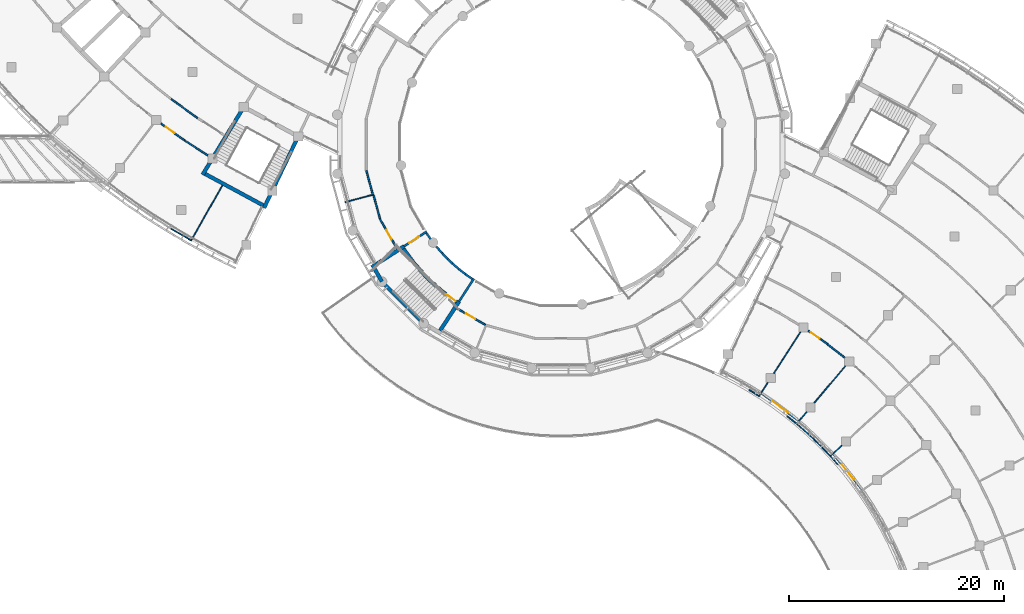
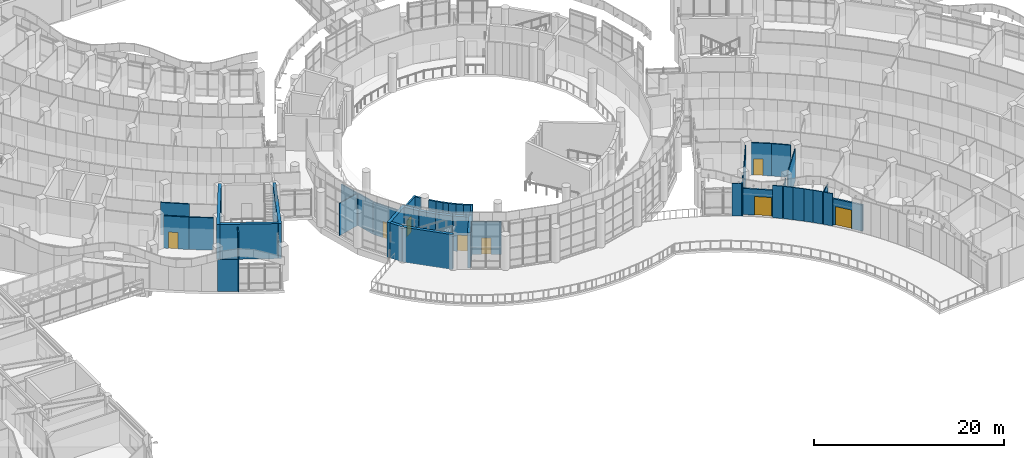
# One storey, part 61 of 136: 46 walls, 8 doors, 8 openings.
"""IFC4 building model written with IfcOpenShell, lengths in metres."""

import ifcopenshell
import ifcopenshell.guid

model = None  # the IFC model being written
_history = None  # IfcOwnerHistory: only IFC2X3 demands one
_inside = {}  # id of a spatial element -> (the spatial element, [elements in it])
_under = {}  # id of a project, library or spatial element -> (it, [spatial elements below it])
_declared = {}  # id of a project -> (the project, [libraries it declares])
_typed = {}  # id of a type object -> (the type object, [elements of that type])
_made_of = {}  # id of a material, layer set ... -> (it, [elements and type objects made of it])


def new_model(schema):
    """Start an empty IFC model of exactly this schema.

    Asked for "IFC4X3", IfcOpenShell would pick the latest addendum, in which some entities
    have other attributes; the version numbers below select the first issue.
    IFC2X3 requires an IfcOwnerHistory on every rooted entity: one is made here for all.
    """
    global model, _history
    if schema == "IFC4X3":
        model = ifcopenshell.file(schema_version=(4, 3, 0, 0))
    else:
        model = ifcopenshell.file(schema=schema)
    _inside.clear()
    _under.clear()
    _declared.clear()
    _typed.clear()
    _made_of.clear()
    _history = None
    if model.schema == "IFC2X3":
        org = make("IfcOrganization", Name="unknown")
        user = make(
            "IfcPersonAndOrganization",
            ThePerson=make("IfcPerson", FamilyName="unknown"),
            TheOrganization=org,
        )
        app = make(
            "IfcApplication",
            ApplicationDeveloper=org,
            Version="unknown",
            ApplicationFullName="unknown",
            ApplicationIdentifier="unknown",
        )
        _history = make(
            "IfcOwnerHistory",
            OwningUser=user,
            OwningApplication=app,
            ChangeAction="ADDED",
            CreationDate=0,
        )
    return model


def make(cls, **values):
    """One entity of the class cls with the attributes given. An attribute that is None is left unset."""
    return model.create_entity(
        cls, **{name: value for name, value in values.items() if value is not None}
    )


def rooted(cls, **values):
    """An entity with a GlobalId (a new one), such as an element, a storey or a relation."""
    return make(cls, GlobalId=ifcopenshell.guid.new(), OwnerHistory=_history, **values)


def si_unit(unit_type, name, prefix=None):
    """IfcSIUnit, for example si_unit("LENGTHUNIT", "METRE", prefix="MILLI")."""
    return make("IfcSIUnit", UnitType=unit_type, Prefix=prefix, Name=name)


def assignment(units):
    """IfcUnitAssignment: the units of a project."""
    return None if units is None else make("IfcUnitAssignment", Units=units)


def point(xyz):
    """IfcCartesianPoint."""
    return None if xyz is None else make("IfcCartesianPoint", Coordinates=xyz)


def direction(xyz):
    """IfcDirection."""
    return None if xyz is None else make("IfcDirection", DirectionRatios=xyz)


def frame(location, z_axis=None, x_axis=None):
    """IfcAxis2Placement3D, a coordinate frame: its origin and axes. An axis left out is left unset."""
    return make(
        "IfcAxis2Placement3D",
        Location=point(location),
        Axis=direction(z_axis),
        RefDirection=direction(x_axis),
    )


def frame_2d(location, x_axis=None):
    """IfcAxis2Placement2D, a coordinate frame in the plane: its origin and x axis."""
    return make(
        "IfcAxis2Placement2D", Location=point(location), RefDirection=direction(x_axis)
    )


def origin():
    """The frame at (0, 0, 0) with its axes left unset."""
    return frame((0.0, 0.0, 0.0))


def place(relative_to, where):
    """IfcLocalPlacement: puts the frame where relative to a parent placement (None: the world)."""
    return make(
        "IfcLocalPlacement", PlacementRelTo=relative_to, RelativePlacement=where
    )


def context(
    kind, dimensions, precision=None, world=None, true_north=None, identifier=None
):
    """IfcGeometricRepresentationContext, for example the 3D "Model" context."""
    return make(
        "IfcGeometricRepresentationContext",
        ContextIdentifier=identifier,
        ContextType=kind,
        CoordinateSpaceDimension=dimensions,
        Precision=precision,
        WorldCoordinateSystem=world,
        TrueNorth=true_north,
    )


def subcontext(parent, identifier, kind, view, scale=None):
    """IfcGeometricRepresentationSubContext, for example "Body" below "Model"."""
    return make(
        "IfcGeometricRepresentationSubContext",
        ContextIdentifier=identifier,
        ContextType=kind,
        ParentContext=parent,
        TargetScale=scale,
        TargetView=view,
    )


def project(units=None, contexts=None):
    """IfcProject with its units and contexts."""
    return rooted(
        "IfcProject",
        Name="project",
        RepresentationContexts=contexts,
        UnitsInContext=assignment(units),
    )


def spatial(cls, under=None, at=None, **own):
    """A site, building, storey or space (cls), placed at a placement, below another one or the project."""
    s = rooted(cls, ObjectPlacement=at, **own)
    if under is not None:
        _under.setdefault(under.id(), (under, []))[1].append(s)
    return s


def profile(cls, at=None, kind="AREA", **sizes):
    """A parametric profile (cls). Its sizes go by their IFC names, for example OverallWidth=200.0."""
    return make(cls, ProfileType=kind, Position=at, **sizes)


def rectangle(**sizes):
    """IfcRectangleProfileDef."""
    return profile("IfcRectangleProfileDef", **sizes)


def extrude(swept, where, along, depth):
    """IfcExtrudedAreaSolid: the profile swept, set in the frame where, extruded along a direction by depth."""
    return make(
        "IfcExtrudedAreaSolid",
        SweptArea=swept,
        Position=where,
        ExtrudedDirection=direction(along),
        Depth=depth,
    )


def shape(context_of_items, identifier, shape_type, items):
    """IfcShapeRepresentation: the items that make up one representation, for example the "Body"."""
    return make(
        "IfcShapeRepresentation",
        ContextOfItems=context_of_items,
        RepresentationIdentifier=identifier,
        RepresentationType=shape_type,
        Items=items,
    )


def material(Name=None, Category=None):
    """IfcMaterial."""
    return make("IfcMaterial", Name=Name, Category=Category)


def layer(
    of_material, thickness, ventilated=None, Name=None, Category=None, Priority=None
):
    """IfcMaterialLayer: one layer of a wall or slab, of a material (None: an air gap)."""
    return make(
        "IfcMaterialLayer",
        Material=of_material,
        LayerThickness=thickness,
        IsVentilated=ventilated,
        Name=Name,
        Category=Category,
        Priority=Priority,
    )


def layer_set(layers, Name=None):
    """IfcMaterialLayerSet."""
    return make("IfcMaterialLayerSet", MaterialLayers=layers, LayerSetName=Name)


def made_of(thing, what):
    """Note that an element or type object is made of a material, layer set ...; save() writes the relation."""
    if what is not None:
        _made_of.setdefault(what.id(), (what, []))[1].append(thing)
    return thing


def type_object(cls, material=None, **own):
    """A type object (cls), such as IfcWallType, which elements share."""
    return made_of(rooted(cls, **own), material)


def element(
    cls,
    number,
    at=None,
    inside=None,
    cuts=None,
    type_object=None,
    material=None,
    context=None,
    identifier="Body",
    shape_type=None,
    held_by="IfcProductDefinitionShape",
    body=None,
    shapes=None,
    **own,
):
    """One element of the class cls, such as IfcWall. Its Tag is "e" and its number.

    at: its placement. inside: the storey or other place that contains it. cuts: it is an
    opening in that element (IfcRelVoidsElement). A single representation is given by context,
    identifier, shape_type and body (its items); several are given by shapes. held_by: the class
    of the entity that holds the representations. save() writes the other relations.
    """
    e = rooted(cls, Tag="e%d" % number, ObjectPlacement=at, **own)
    if body is not None:
        shapes = [shape(context, identifier, shape_type, body)]
    if shapes is not None:
        e.Representation = make(held_by, Representations=shapes)
    if inside is not None:
        _inside.setdefault(inside.id(), (inside, []))[1].append(e)
    if cuts is not None:
        rooted(
            "IfcRelVoidsElement", RelatingBuildingElement=cuts, RelatedOpeningElement=e
        )
    if type_object is not None:
        _typed.setdefault(type_object.id(), (type_object, []))[1].append(e)
    return made_of(e, material)


def fill(opening, filler):
    """IfcRelFillsElement: the door or window that sits in an opening."""
    return rooted(
        "IfcRelFillsElement",
        RelatingOpeningElement=opening,
        RelatedBuildingElement=filler,
    )


def aggregate(whole, parts):
    """IfcRelAggregates: a whole, such as a stair, and the parts it consists of."""
    return rooted("IfcRelAggregates", RelatingObject=whole, RelatedObjects=parts)


def save(model, path):
    """Write the relations noted so far, then the file.

    IfcRelAggregates (storeys below a building ...), IfcRelContainedInSpatialStructure (elements
    in a storey), IfcRelDefinesByType, IfcRelAssociatesMaterial and IfcRelDeclares: one each for
    every whole, place, type object, material and project.
    """
    for whole, parts in _under.values():
        aggregate(whole, parts)
    for where, things in _inside.values():
        rooted(
            "IfcRelContainedInSpatialStructure",
            RelatedElements=things,
            RelatingStructure=where,
        )
    for kind, things in _typed.values():
        rooted("IfcRelDefinesByType", RelatedObjects=things, RelatingType=kind)
    for what, things in _made_of.values():
        rooted("IfcRelAssociatesMaterial", RelatedObjects=things, RelatingMaterial=what)
    for by, libraries in _declared.values():
        rooted("IfcRelDeclares", RelatingContext=by, RelatedDefinitions=libraries)
    model.write(path)


model = new_model("IFC4")

# Units and contexts
model_context = context("Model", 3, precision=1e-05, world=origin(), true_north=direction((0.0, 1.0)))
body_context = subcontext(model_context, "Body", "Model", "MODEL_VIEW")
ifc_project = project(units=[si_unit("LENGTHUNIT", "METRE"), si_unit("AREAUNIT", "SQUARE_METRE"), si_unit("VOLUMEUNIT", "CUBIC_METRE"), si_unit("PLANEANGLEUNIT", "RADIAN"), si_unit("MASSUNIT", "GRAM", prefix="KILO")], contexts=[model_context])

# Site, building, storey
site_placement = place(None, origin())
site = spatial("IfcSite", under=ifc_project, at=site_placement, CompositionType="ELEMENT")
building_placement = place(site_placement, origin())
building = spatial("IfcBuilding", under=site, at=building_placement, Name="Bougainvillea Quay General Hospital", CompositionType="ELEMENT")
storey_placement = place(building_placement, frame((0.0, 0.0, 5.39990234375)))
storey = spatial("IfcBuildingStorey", under=building, at=storey_placement, Name="L01", CompositionType="ELEMENT", Elevation=5.39990234375)

# Wall, opening, door
ifc_material_1 = material(Name="Insulated aluminium panel cladding, anodised silver", Category="aluminium")
ifc_layer_1 = layer(ifc_material_1, 0.199951171875)
ifc_layer_set_1 = layer_set([ifc_layer_1], Name="Insulated aluminium panel cladding, anodised silver")
wall_type_1 = type_object("IfcWallType", Name="Entrance portal wall 200", PredefinedType="STANDARD", material=ifc_layer_set_1)
wall_1_placement = place(storey_placement, frame((127.819091796875, 50.865966796875, 0.0), z_axis=(0.0, 0.0, 1.0), x_axis=(0.804238862444, -0.594306193923, 0.0)))
wall_1 = element("IfcWall", 1, at=wall_1_placement, inside=storey, type_object=wall_type_1, Name="External wall wall/V6/L01/p2g1b1/00a", PredefinedType="STANDARD", context=body_context, shape_type="SweptSolid", body=[
    extrude(rectangle(XDim=4.367919921875, YDim=0.199951171875, at=frame_2d((2.18408203125, 0.0))), origin(), (0.0, 0.0, 1.0), 3.35009765625),
])
opening_1_placement = place(wall_1_placement, frame((1.283935546875, 0.0, 0.0)))
opening_1 = element("IfcOpeningElement", 2, at=opening_1_placement, cuts=wall_1, Name="Opening L01.334", PredefinedType="OPENING", context=body_context, shape_type="SweptSolid", body=[
    extrude(rectangle(XDim=1.800048828125, YDim=2.39990234375, at=frame_2d((0.89990234375, 1.199951171875))), frame((0.0, 0.10986328125, 0.0), z_axis=(0.0, -1.0, 0.0), x_axis=(1.0, 0.0, 0.0)), (0.0, 0.0, 1.0), 0.219970703125),
])
ifc_material_2 = material(Name="Aluminium and glass door set", Category="aluminium")
door_type_1 = type_object("IfcDoorType", Name="Terrace door 1800x2400", OperationType="DOUBLE_DOOR_SINGLE_SWING", PredefinedType="DOOR", material=ifc_material_2)
door_1_placement = place(opening_1_placement, origin())
door_1 = element("IfcDoor", 3, at=door_1_placement, inside=storey, type_object=door_type_1, Name="Quay Terrace door 1", OperationType="SINGLE_SWING_LEFT", OverallHeight=2.39990234375, OverallWidth=1.800048828125, PredefinedType="DOOR", context=body_context, shape_type="SweptSolid", body=[
    extrude(rectangle(XDim=1.800048828125, YDim=2.39990234375, at=frame_2d((0.89990234375, 1.199951171875))), frame((0.0, 0.02490234375, 0.0), z_axis=(0.0, -1.0, 0.0), x_axis=(1.0, 0.0, 0.0)), (0.0, 0.0, 1.0), 0.050048828125),
])
fill(opening_1, door_1)

wall_2_placement = place(storey_placement, frame((134.50390625, 45.22998046875, 0.0), z_axis=(0.0, 0.0, 1.0), x_axis=(0.628043022297, -0.778178618406, 0.0)))
wall_2 = element("IfcWall", 4, at=wall_2_placement, inside=storey, type_object=wall_type_1, Name="External wall wall/V6/L01/p2g1b3/00a", PredefinedType="STANDARD", context=body_context, shape_type="SweptSolid", body=[
    extrude(rectangle(XDim=4.36767578125, YDim=0.199951171875, at=frame_2d((2.183837890625, 0.0))), origin(), (0.0, 0.0, 1.0), 3.35009765625),
])
opening_2_placement = place(wall_2_placement, frame((1.283935546875, 0.0, 0.0)))
opening_2 = element("IfcOpeningElement", 5, at=opening_2_placement, cuts=wall_2, Name="Opening L01.335", PredefinedType="OPENING", context=body_context, shape_type="SweptSolid", body=[
    extrude(rectangle(XDim=1.800048828125, YDim=2.39990234375, at=frame_2d((0.89990234375, 1.199951171875))), frame((0.0, 0.10986328125, 0.0), z_axis=(0.0, -1.0, 0.0), x_axis=(1.0, 0.0, 0.0)), (0.0, 0.0, 1.0), 0.219970703125),
])
door_2_placement = place(opening_2_placement, origin())
door_2 = element("IfcDoor", 6, at=door_2_placement, inside=storey, type_object=door_type_1, Name="Quay Terrace door 2", OperationType="SINGLE_SWING_LEFT", OverallHeight=2.39990234375, OverallWidth=1.800048828125, PredefinedType="DOOR", context=body_context, shape_type="SweptSolid", body=[
    extrude(rectangle(XDim=1.800048828125, YDim=2.39990234375, at=frame_2d((0.89990234375, 1.199951171875))), frame((0.0, 0.02490234375, 0.0), z_axis=(0.0, -1.0, 0.0), x_axis=(1.0, 0.0, 0.0)), (0.0, 0.0, 1.0), 0.050048828125),
])
fill(opening_2, door_2)

# Walls
ifc_material_3 = material(Name="Gypsum board partition on steel studs", Category="steel")
ifc_layer_2 = layer(ifc_material_3, 0.10009765625)
ifc_layer_set_2 = layer_set([ifc_layer_2], Name="Gypsum board partition on steel studs")
wall_type_2 = type_object("IfcWallType", Name="Partition 100 Gypsum board partition EI 30", PredefinedType="PARTITIONING", material=ifc_layer_set_2)
wall_3_placement = place(storey_placement, frame((131.078857421875, 47.959716796875, 0.0), z_axis=(0.0, 0.0, 1.0), x_axis=(0.644403525256, 0.764685619479, 0.0)))
element("IfcWall", 7, at=wall_3_placement, inside=storey, type_object=wall_type_2, Name="Partition 100 mm EI 30", PredefinedType="PARTITIONING", context=body_context, shape_type="SweptSolid", body=[
    extrude(rectangle(XDim=1.48779296875, YDim=0.10009765625, at=frame_2d((0.743896484375, 0.0))), origin(), (0.0, 0.0, 1.0), 4.150146484375),
])
wall_4_placement = place(storey_placement, frame((132.762451171875, 49.957763671875, 0.0), z_axis=(0.0, 0.0, 1.0), x_axis=(0.644429680937, 0.76466357722, 0.0)))
element("IfcWall", 8, at=wall_4_placement, inside=storey, type_object=wall_type_2, Name="Partition 100 mm EI 30", PredefinedType="PARTITIONING", context=body_context, shape_type="SweptSolid", body=[
    extrude(rectangle(XDim=4.475341796875, YDim=0.10009765625, at=frame_2d((2.23779296875, 0.0))), origin(), (0.0, 0.0, 1.0), 4.150146484375),
])
wall_5_placement = place(storey_placement, frame((127.596923828125, 50.532958984375, 0.0), z_axis=(0.0, 0.0, 1.0), x_axis=(0.541741092646, 0.840545411348, 0.0)))
element("IfcWall", 9, at=wall_5_placement, inside=storey, type_object=wall_type_2, Name="Partition 100 mm EI 30", PredefinedType="PARTITIONING", context=body_context, shape_type="SweptSolid", body=[
    extrude(rectangle(XDim=1.542724609375, YDim=0.10009765625, at=frame_2d((0.771484375, 0.0))), origin(), (0.0, 0.0, 1.0), 4.150146484375),
])
wall_6_placement = place(storey_placement, frame((128.982666015625, 52.6826171875, 0.0), z_axis=(0.0, 0.0, 1.0), x_axis=(0.541806664818, 0.840503145716, 0.0)))
element("IfcWall", 10, at=wall_6_placement, inside=storey, type_object=wall_type_2, Name="Partition 100 mm EI 30", PredefinedType="PARTITIONING", context=body_context, shape_type="SweptSolid", body=[
    extrude(rectangle(XDim=4.58544921875, YDim=0.10009765625, at=frame_2d((2.292724609375, 0.0))), origin(), (0.0, 0.0, 1.0), 4.150146484375),
])
wall_7_placement = place(storey_placement, frame((134.205078125, 44.964111328125, 0.0), z_axis=(0.0, 0.0, 1.0), x_axis=(0.736497059378, 0.676440745023, 0.0)))
element("IfcWall", 11, at=wall_7_placement, inside=storey, type_object=wall_type_2, Name="Partition 100 mm EI 30", PredefinedType="PARTITIONING", context=body_context, shape_type="SweptSolid", body=[
    extrude(rectangle(XDim=1.51220703125, YDim=0.10009765625, at=frame_2d((0.756103515625, 0.0))), origin(), (0.0, 0.0, 1.0), 4.150146484375),
])
wall_8_placement = place(storey_placement, frame((74.763427734375, 65.00439453125, 0.0), z_axis=(0.0, 0.0, 1.0), x_axis=(0.491667244237, 0.870783165285, 0.0)))
element("IfcWall", 12, at=wall_8_placement, inside=storey, type_object=wall_type_2, Name="Partition 100 mm EI 30", PredefinedType="PARTITIONING", context=body_context, shape_type="SweptSolid", body=[
    extrude(rectangle(XDim=5.94140625, YDim=0.10009765625, at=frame_2d((2.970703125, 0.0))), origin(), (0.0, 0.0, 1.0), 4.150146484375),
])
wall_9_placement = place(storey_placement, frame((89.090087890625, 68.611083984375, 0.0), z_axis=(0.0, 0.0, 1.0), x_axis=(0.965885041146, 0.258971209387, 0.0)))
element("IfcWall", 13, at=wall_9_placement, inside=storey, type_object=wall_type_2, Name="Partition 100 mm EI 30", PredefinedType="PARTITIONING", context=body_context, shape_type="SweptSolid", body=[
    extrude(rectangle(XDim=2.6123046875, YDim=0.10009765625, at=frame_2d((1.30615234375, 0.0))), origin(), (0.0, 0.0, 1.0), 4.150146484375),
])
wall_10_placement = place(storey_placement, frame((72.868896484375, 66.167236328125, 0.0), z_axis=(0.0, 0.0, 1.0), x_axis=(0.863807451605, -0.50382207827, 0.0)))
element("IfcWall", 14, at=wall_10_placement, inside=storey, type_object=wall_type_2, Name="Partition 100 mm EI 30", PredefinedType="PARTITIONING", context=body_context, shape_type="SweptSolid", body=[
    extrude(rectangle(XDim=2.1708984375, YDim=0.10009765625, at=frame_2d((1.08544921875, 0.0))), origin(), (0.0, 0.0, 1.0), 4.150146484375),
])
wall_11_placement = place(storey_placement, frame((130.243408203125, 48.701416015625, 0.0), z_axis=(0.0, 0.0, 1.0), x_axis=(0.776695177638, -0.629876655413, 0.0)))
element("IfcWall", 15, at=wall_11_placement, inside=storey, type_object=wall_type_2, Name="Partition 100 mm EI 30", PredefinedType="PARTITIONING", context=body_context, shape_type="SweptSolid", body=[
    extrude(rectangle(XDim=1.06591796875, YDim=0.10009765625, at=frame_2d((0.532958984375, 0.0))), origin(), (0.0, 0.0, 1.0), 4.150146484375),
])
wall_12_placement = place(storey_placement, frame((126.702880859375, 51.14892578125, 0.0), z_axis=(0.0, 0.0, 1.0), x_axis=(0.848687049906, -0.528895350067, 0.0)))
element("IfcWall", 16, at=wall_12_placement, inside=storey, type_object=wall_type_2, Name="Partition 100 mm EI 30", PredefinedType="PARTITIONING", context=body_context, shape_type="SweptSolid", body=[
    extrude(rectangle(XDim=1.034423828125, YDim=0.10009765625, at=frame_2d((0.51708984375, 0.0))), origin(), (0.0, 0.0, 1.0), 4.150146484375),
])
wall_13_placement = place(storey_placement, frame((133.460693359375, 45.8212890625, 0.0), z_axis=(0.0, 0.0, 1.0), x_axis=(0.688400207225, -0.725331065578, 0.0)))
element("IfcWall", 17, at=wall_13_placement, inside=storey, type_object=wall_type_2, Name="Partition 100 mm EI 30", PredefinedType="PARTITIONING", context=body_context, shape_type="SweptSolid", body=[
    extrude(rectangle(XDim=1.084228515625, YDim=0.10009765625, at=frame_2d((0.5419921875, 0.0))), origin(), (0.0, 0.0, 1.0), 4.150146484375),
])
wall_14_placement = place(storey_placement, frame((131.892333984375, 47.320068359375, 0.0), z_axis=(0.0, 0.0, 1.0), x_axis=(0.732793491626, -0.680451099367, 0.0)))
element("IfcWall", 18, at=wall_14_placement, inside=storey, type_object=wall_type_2, Name="Partition 100 mm EI 30", PredefinedType="PARTITIONING", context=body_context, shape_type="SweptSolid", body=[
    extrude(rectangle(XDim=1.184814453125, YDim=0.10009765625, at=frame_2d((0.59228515625, 0.0))), origin(), (0.0, 0.0, 1.0), 4.150146484375),
])
wall_15_placement = place(storey_placement, frame((132.75830078125, 46.513916015625, 0.0), z_axis=(0.0, 0.0, 1.0), x_axis=(0.710804317615, -0.703389808043, 0.0)))
element("IfcWall", 19, at=wall_15_placement, inside=storey, type_object=wall_type_2, Name="Partition 100 mm EI 30", PredefinedType="PARTITIONING", context=body_context, shape_type="SweptSolid", body=[
    extrude(rectangle(XDim=0.98779296875, YDim=0.10009765625, at=frame_2d((0.493896484375, 0.0))), origin(), (0.0, 0.0, 1.0), 4.150146484375),
])
wall_16_placement = place(storey_placement, frame((131.1494140625, 47.964599609375, 0.0), z_axis=(0.0, 0.0, 1.0), x_axis=(0.75424788942, -0.656589766373, 0.0)))
element("IfcWall", 20, at=wall_16_placement, inside=storey, type_object=wall_type_2, Name="Partition 100 mm EI 30", PredefinedType="PARTITIONING", context=body_context, shape_type="SweptSolid", body=[
    extrude(rectangle(XDim=0.98486328125, YDim=0.10009765625, at=frame_2d((0.492431640625, 0.0))), origin(), (0.0, 0.0, 1.0), 4.150146484375),
])
wall_17_placement = place(storey_placement, frame((134.27587890625, 44.960205078125, 0.0), z_axis=(0.0, 0.0, 1.0), x_axis=(0.66477897218, -0.747040104779, 0.0)))
element("IfcWall", 21, at=wall_17_placement, inside=storey, type_object=wall_type_2, Name="Partition 100 mm EI 30", PredefinedType="PARTITIONING", context=body_context, shape_type="SweptSolid", body=[
    extrude(rectangle(XDim=0.9853515625, YDim=0.10009765625, at=frame_2d((0.49267578125, 0.0))), origin(), (0.0, 0.0, 1.0), 4.150146484375),
])

# Wall, opening, door
ifc_material_4 = material(Name="Gypsum board partition on steel studs, insulated", Category="steel")
ifc_layer_3 = layer(ifc_material_4, 0.14990234375)
ifc_layer_set_3 = layer_set([ifc_layer_3], Name="Gypsum board partition on steel studs, insulated")
wall_type_3 = type_object("IfcWallType", Name="Partition 150 Gypsum board partition EI 30", PredefinedType="PARTITIONING", material=ifc_layer_set_3)
wall_18_placement = place(storey_placement, frame((99.4990234375, 58.7333984375, 0.0), z_axis=(0.0, 0.0, 1.0), x_axis=(0.866085584755, -0.499895749011, 0.0)))
wall_18 = element("IfcWall", 22, at=wall_18_placement, inside=storey, type_object=wall_type_3, Name="Partition 150 mm EI 30", PredefinedType="PARTITIONING", context=body_context, shape_type="SweptSolid", body=[
    extrude(rectangle(XDim=3.089599609375, YDim=0.14990234375, at=frame_2d((1.544921875, 0.0))), origin(), (0.0, 0.0, 1.0), 4.150146484375),
])
opening_3_placement = place(wall_18_placement, frame((0.984375, 0.0, 0.0)))
opening_3 = element("IfcOpeningElement", 23, at=opening_3_placement, cuts=wall_18, Name="Opening L01.287", PredefinedType="OPENING", context=body_context, shape_type="SweptSolid", body=[
    extrude(rectangle(XDim=1.0, YDim=2.10009765625, at=frame_2d((0.5, 1.050048828125))), frame((0.0, 0.0849609375, 0.0), z_axis=(0.0, -1.0, 0.0), x_axis=(1.0, 0.0, 0.0)), (0.0, 0.0, 1.0), 0.169921875),
])
ifc_material_5 = material(Name="Solid-core timber door leaf in steel frame", Category="steel")
door_type_2 = type_object("IfcDoorType", Name="Single leaf door 1000x2100 FD30S", OperationType="NOTDEFINED", PredefinedType="DOOR", material=ifc_material_5)
door_3_placement = place(opening_3_placement, frame((1.0, 0.0, 0.0), z_axis=(0.0, 0.0, 1.0), x_axis=(-1.0, 0.0, 0.0)))
door_3 = element("IfcDoor", 24, at=door_3_placement, inside=storey, type_object=door_type_2, Name="DT15 L01.287", OperationType="SINGLE_SWING_RIGHT", OverallHeight=2.10009765625, OverallWidth=1.0, PredefinedType="DOOR", context=body_context, shape_type="SweptSolid", body=[
    extrude(rectangle(XDim=1.0, YDim=2.10009765625, at=frame_2d((0.5, 1.050048828125))), frame((0.0, 0.02490234375, 0.0), z_axis=(0.0, -1.0, 0.0), x_axis=(1.0, 0.0, 0.0)), (0.0, 0.0, 1.0), 0.050048828125),
])
fill(opening_3, door_3)

wall_19_placement = place(storey_placement, frame((92.322509765625, 67.090087890625, 0.0), z_axis=(0.0, 0.0, 1.0), x_axis=(0.499927936522, -0.866067005655, 0.0)))
wall_19 = element("IfcWall", 25, at=wall_19_placement, inside=storey, type_object=wall_type_3, Name="Partition 150 mm EI 30", PredefinedType="PARTITIONING", context=body_context, shape_type="SweptSolid", body=[
    extrude(rectangle(XDim=3.22265625, YDim=0.14990234375, at=frame_2d((1.611328125, 0.0))), origin(), (0.0, 0.0, 1.0), 4.150146484375),
])
opening_4_placement = place(wall_19_placement, frame((1.23828125, 0.0, 0.0)))
opening_4 = element("IfcOpeningElement", 26, at=opening_4_placement, cuts=wall_19, Name="Opening L01.286", PredefinedType="OPENING", context=body_context, shape_type="SweptSolid", body=[
    extrude(rectangle(XDim=1.0, YDim=2.10009765625, at=frame_2d((0.5, 1.050048828125))), frame((0.0, 0.0849609375, 0.0), z_axis=(0.0, -1.0, 0.0), x_axis=(1.0, 0.0, 0.0)), (0.0, 0.0, 1.0), 0.169921875),
])
door_4_placement = place(opening_4_placement, frame((1.0, 0.0, 0.0), z_axis=(0.0, 0.0, 1.0), x_axis=(-1.0, 0.0, 0.0)))
door_4 = element("IfcDoor", 27, at=door_4_placement, inside=storey, type_object=door_type_2, Name="DT15 L01.286", OperationType="SINGLE_SWING_LEFT", OverallHeight=2.10009765625, OverallWidth=1.0, PredefinedType="DOOR", context=body_context, shape_type="SweptSolid", body=[
    extrude(rectangle(XDim=1.0, YDim=2.10009765625, at=frame_2d((0.5, 1.050048828125))), frame((0.0, 0.02490234375, 0.0), z_axis=(0.0, -1.0, 0.0), x_axis=(1.0, 0.0, 0.0)), (0.0, 0.0, 1.0), 0.050048828125),
])
fill(opening_4, door_4)

wall_20_placement = place(storey_placement, frame((71.98193359375, 75.928955078125, 0.0), z_axis=(0.0, 0.0, 1.0), x_axis=(0.812329236441, -0.583199118332, 0.0)))
wall_20 = element("IfcWall", 28, at=wall_20_placement, inside=storey, type_object=wall_type_3, Name="Partition 150 mm EI 30", PredefinedType="PARTITIONING", context=body_context, shape_type="SweptSolid", body=[
    extrude(rectangle(XDim=2.694580078125, YDim=0.14990234375, at=frame_2d((1.34716796875, 0.0))), origin(), (0.0, 0.0, 1.0), 4.150146484375),
])
opening_5_placement = place(wall_20_placement, frame((0.537353515625, 0.0, 0.0)))
opening_5 = element("IfcOpeningElement", 29, at=opening_5_placement, cuts=wall_20, Name="Opening L01.250", PredefinedType="OPENING", context=body_context, shape_type="SweptSolid", body=[
    extrude(rectangle(XDim=1.0, YDim=2.10009765625, at=frame_2d((0.5, 1.050048828125))), frame((0.0, 0.0849609375, 0.0), z_axis=(0.0, -1.0, 0.0), x_axis=(1.0, 0.0, 0.0)), (0.0, 0.0, 1.0), 0.169921875),
])
door_5_placement = place(opening_5_placement, frame((1.0, 0.0, 0.0), z_axis=(0.0, 0.0, 1.0), x_axis=(-1.0, 0.0, 0.0)))
door_5 = element("IfcDoor", 30, at=door_5_placement, inside=storey, type_object=door_type_2, Name="DT15 L01.250", OperationType="SINGLE_SWING_RIGHT", OverallHeight=2.10009765625, OverallWidth=1.0, PredefinedType="DOOR", context=body_context, shape_type="SweptSolid", body=[
    extrude(rectangle(XDim=1.0, YDim=2.10009765625, at=frame_2d((0.5, 1.050048828125))), frame((0.0, 0.02490234375, 0.0), z_axis=(0.0, -1.0, 0.0), x_axis=(1.0, 0.0, 0.0)), (0.0, 0.0, 1.0), 0.050048828125),
])
fill(opening_5, door_5)

# Walls
wall_21_placement = place(storey_placement, frame((74.169921875, 74.3623046875, 0.0), z_axis=(0.0, 0.0, 1.0), x_axis=(0.840928399131, -0.541146401203, 0.0)))
element("IfcWall", 31, at=wall_21_placement, inside=storey, type_object=wall_type_3, Name="Partition 150 mm EI 30", PredefinedType="PARTITIONING", context=body_context, shape_type="SweptSolid", body=[
    extrude(rectangle(XDim=2.5703125, YDim=0.14990234375, at=frame_2d((1.28515625, 0.0))), origin(), (0.0, 0.0, 1.0), 4.150146484375),
])
wall_22_placement = place(storey_placement, frame((72.926025390625, 78.20361328125, 0.0), z_axis=(0.0, 0.0, 1.0), x_axis=(0.812431785264, -0.583056253112, 0.0)))
element("IfcWall", 32, at=wall_22_placement, inside=storey, type_object=wall_type_3, Name="Partition 150 mm EI 30", PredefinedType="PARTITIONING", context=body_context, shape_type="SweptSolid", body=[
    extrude(rectangle(XDim=3.046142578125, YDim=0.14990234375, at=frame_2d((1.52294921875, 0.0))), origin(), (0.0, 0.0, 1.0), 4.150146484375),
])

# Wall, opening, door
wall_23_placement = place(storey_placement, frame((132.183837890625, 56.65771484375, 0.0), z_axis=(0.0, 0.0, 1.0), x_axis=(0.82273696549, -0.568422277551, 0.0)))
wall_23 = element("IfcWall", 33, at=wall_23_placement, inside=storey, type_object=wall_type_3, Name="Partition 150 mm EI 30", PredefinedType="PARTITIONING", context=body_context, shape_type="SweptSolid", body=[
    extrude(rectangle(XDim=2.192626953125, YDim=0.14990234375, at=frame_2d((1.09619140625, 0.0))), origin(), (0.0, 0.0, 1.0), 4.150146484375),
])
opening_6_placement = place(wall_23_placement, frame((0.290283203125, 0.0, 0.0)))
opening_6 = element("IfcOpeningElement", 34, at=opening_6_placement, cuts=wall_23, Name="Opening L01.276", PredefinedType="OPENING", context=body_context, shape_type="SweptSolid", body=[
    extrude(rectangle(XDim=1.0, YDim=2.10009765625, at=frame_2d((0.5, 1.050048828125))), frame((0.0, 0.0849609375, 0.0), z_axis=(0.0, -1.0, 0.0), x_axis=(1.0, 0.0, 0.0)), (0.0, 0.0, 1.0), 0.169921875),
])
door_6_placement = place(opening_6_placement, frame((1.0, 0.0, 0.0), z_axis=(0.0, 0.0, 1.0), x_axis=(-1.0, 0.0, 0.0)))
door_6 = element("IfcDoor", 35, at=door_6_placement, inside=storey, type_object=door_type_2, Name="DT15 L01.276", OperationType="SINGLE_SWING_RIGHT", OverallHeight=2.10009765625, OverallWidth=1.0, PredefinedType="DOOR", context=body_context, shape_type="SweptSolid", body=[
    extrude(rectangle(XDim=1.0, YDim=2.10009765625, at=frame_2d((0.5, 1.050048828125))), frame((0.0, 0.02490234375, 0.0), z_axis=(0.0, -1.0, 0.0), x_axis=(1.0, 0.0, 0.0)), (0.0, 0.0, 1.0), 0.050048828125),
])
fill(opening_6, door_6)

# Walls
wall_24_placement = place(storey_placement, frame((133.981201171875, 55.410400390625, 0.0), z_axis=(0.0, 0.0, 1.0), x_axis=(0.784968928218, -0.619535133574, 0.0)))
element("IfcWall", 36, at=wall_24_placement, inside=storey, type_object=wall_type_3, Name="Partition 150 mm EI 30", PredefinedType="PARTITIONING", context=body_context, shape_type="SweptSolid", body=[
    extrude(rectangle(XDim=2.03076171875, YDim=0.14990234375, at=frame_2d((1.015380859375, 0.0))), origin(), (0.0, 0.0, 1.0), 4.150146484375),
])
wall_25_placement = place(storey_placement, frame((91.0830078125, 71.55908203125, 0.0), z_axis=(0.0, 0.0, 1.0), x_axis=(0.258616060492, -0.965980192994, 0.0)))
element("IfcWall", 37, at=wall_25_placement, inside=storey, type_object=wall_type_3, Name="Partition 150 mm EI 30", PredefinedType="PARTITIONING", context=body_context, shape_type="SweptSolid", body=[
    extrude(rectangle(XDim=2.40625, YDim=0.14990234375, at=frame_2d((1.203125, 0.0))), origin(), (0.0, 0.0, 1.0), 4.150146484375),
])
wall_26_placement = place(storey_placement, frame((91.763427734375, 69.25, 0.0), z_axis=(0.0, 0.0, 1.0), x_axis=(0.258975193967, -0.965883972799, 0.0)))
element("IfcWall", 38, at=wall_26_placement, inside=storey, type_object=wall_type_3, Name="Partition 150 mm EI 30", PredefinedType="PARTITIONING", context=body_context, shape_type="SweptSolid", body=[
    extrude(rectangle(XDim=2.24560546875, YDim=0.14990234375, at=frame_2d((1.122802734375, 0.0))), origin(), (0.0, 0.0, 1.0), 4.150146484375),
])

# Wall, opening, door
ifc_material_6 = material(Name="Fire-rated autoclaved aerated block wall, plastered")
ifc_layer_4 = layer(ifc_material_6, 0.199951171875)
ifc_layer_set_4 = layer_set([ifc_layer_4], Name="Fire-rated autoclaved aerated block wall, plastered")
wall_type_4 = type_object("IfcWallType", Name="Partition 200 Fire-rated autoclaved aerated block wall EI 120", PredefinedType="SOLIDWALL", material=ifc_layer_set_4)
wall_27_placement = place(storey_placement, frame((94.585693359375, 64.50927734375, 0.0), z_axis=(0.0, 0.0, 1.0), x_axis=(0.838726213853, 0.544553338247, 0.0)))
wall_27 = element("IfcWall", 39, at=wall_27_placement, inside=storey, type_object=wall_type_4, Name="Partition 200 mm EI 120", PredefinedType="SOLIDWALL", context=body_context, shape_type="SweptSolid", body=[
    extrude(rectangle(XDim=2.525390625, YDim=0.199951171875, at=frame_2d((1.2626953125, 0.0))), origin(), (0.0, 0.0, 1.0), 4.150146484375),
])
opening_7_placement = place(wall_27_placement, frame((0.5751953125, 0.0, 0.0)))
opening_7 = element("IfcOpeningElement", 40, at=opening_7_placement, cuts=wall_27, Name="Opening L01.328", PredefinedType="OPENING", context=body_context, shape_type="SweptSolid", body=[
    extrude(rectangle(XDim=1.10009765625, YDim=2.10009765625, at=frame_2d((0.550048828125, 1.050048828125))), frame((0.0, 0.10986328125, 0.0), z_axis=(0.0, -1.0, 0.0), x_axis=(1.0, 0.0, 0.0)), (0.0, 0.0, 1.0), 0.219970703125),
])
door_type_3 = type_object("IfcDoorType", Name="Single leaf door 1100x2100 FD60", OperationType="NOTDEFINED", PredefinedType="DOOR", material=ifc_material_5)
door_7_placement = place(opening_7_placement, frame((1.10009765625, 0.0, 0.0), z_axis=(0.0, 0.0, 1.0), x_axis=(-1.0, 0.0, 0.0)))
door_7 = element("IfcDoor", 41, at=door_7_placement, inside=storey, type_object=door_type_3, Name="DT19 L01.328", OperationType="SINGLE_SWING_RIGHT", OverallHeight=2.10009765625, OverallWidth=1.10009765625, PredefinedType="DOOR", context=body_context, shape_type="SweptSolid", body=[
    extrude(rectangle(XDim=1.10009765625, YDim=2.10009765625, at=frame_2d((0.550048828125, 1.050048828125))), frame((0.0, 0.02490234375, 0.0), z_axis=(0.0, -1.0, 0.0), x_axis=(1.0, 0.0, 0.0)), (0.0, 0.0, 1.0), 0.050048828125),
])
fill(opening_7, door_7)

# Walls
wall_28_placement = place(storey_placement, frame((99.709228515625, 59.3857421875, 0.0), z_axis=(0.0, 0.0, 1.0), x_axis=(0.544553338247, 0.838726213853, 0.0)))
element("IfcWall", 42, at=wall_28_placement, inside=storey, type_object=wall_type_4, Name="Partition 200 mm EI 120", PredefinedType="SOLIDWALL", context=body_context, shape_type="SweptSolid", body=[
    extrude(rectangle(XDim=2.525390625, YDim=0.199951171875, at=frame_2d((1.2626953125, 0.0))), origin(), (0.0, 0.0, 1.0), 4.150146484375),
])
wall_29_placement = place(storey_placement, frame((100.300537109375, 61.921630859375, 0.0), z_axis=(0.0, 0.0, 1.0), x_axis=(0.823906287356, -0.566726062269, 0.0)))
element("IfcWall", 43, at=wall_29_placement, inside=storey, type_object=wall_type_4, Name="Partition 200 mm EI 120", PredefinedType="SOLIDWALL", context=body_context, shape_type="SweptSolid", body=[
    extrude(rectangle(XDim=0.787841796875, YDim=0.199951171875, at=frame_2d((0.39404296875, 0.0))), origin(), (0.0, 0.0, 1.0), 4.150146484375),
])
wall_30_placement = place(storey_placement, frame((96.67529296875, 65.749755859375, 0.0), z_axis=(0.0, 0.0, 1.0), x_axis=(0.566513767674, -0.824052274456, 0.0)))
element("IfcWall", 44, at=wall_30_placement, inside=storey, type_object=wall_type_4, Name="Partition 200 mm EI 120", PredefinedType="SOLIDWALL", context=body_context, shape_type="SweptSolid", body=[
    extrude(rectangle(XDim=0.688232421875, YDim=0.199951171875, at=frame_2d((0.34423828125, 0.0))), origin(), (0.0, 0.0, 1.0), 4.150146484375),
])
wall_31_placement = place(storey_placement, frame((99.6806640625, 62.40380859375, 0.0), z_axis=(0.0, 0.0, 1.0), x_axis=(0.793427303362, -0.608665026333, 0.0)))
element("IfcWall", 45, at=wall_31_placement, inside=storey, type_object=wall_type_4, Name="Partition 200 mm EI 120", PredefinedType="SOLIDWALL", context=body_context, shape_type="SweptSolid", body=[
    extrude(rectangle(XDim=0.790283203125, YDim=0.199951171875, at=frame_2d((0.39501953125, 0.0))), origin(), (0.0, 0.0, 1.0), 4.150146484375),
])
for number, where, z_axis, x_axis, name in (
    (46, (99.0869140625, 62.91796875, 0.0), (0.0, 0.0, 1.0), (0.760389572583, -0.649467241597, 0.0), "Partition 200 mm EI 120"),
    (47, (97.604736328125, 64.48779296875, 0.0), (0.0, 0.0, 1.0), (0.649467241597, -0.760389572583, 0.0), "Partition 200 mm EI 120"),
):
    element("IfcWall", number, at=place(storey_placement, frame(where, z_axis=z_axis, x_axis=x_axis)), inside=storey, type_object=wall_type_4, Name=name, PredefinedType="SOLIDWALL", context=body_context, shape_type="SweptSolid", body=[
        extrude(rectangle(XDim=0.7900390625, YDim=0.199951171875, at=frame_2d((0.39501953125, 0.0))), origin(), (0.0, 0.0, 1.0), 4.150146484375),
    ])
wall_32_placement = place(storey_placement, frame((98.118408203125, 63.89404296875, 0.0), z_axis=(0.0, 0.0, 1.0), x_axis=(0.687693231893, -0.726001390363, 0.0)))
element("IfcWall", 48, at=wall_32_placement, inside=storey, type_object=wall_type_4, Name="Partition 200 mm EI 120", PredefinedType="SOLIDWALL", context=body_context, shape_type="SweptSolid", body=[
    extrude(rectangle(XDim=0.790283203125, YDim=0.199951171875, at=frame_2d((0.39501953125, 0.0))), origin(), (0.0, 0.0, 1.0), 4.150146484375),
])
wall_33_placement = place(storey_placement, frame((98.661865234375, 63.327880859375, 0.0), z_axis=(0.0, 0.0, 1.0), x_axis=(0.725920352122, -0.687778774298, 0.0)))
element("IfcWall", 49, at=wall_33_placement, inside=storey, type_object=wall_type_4, Name="Partition 200 mm EI 120", PredefinedType="SOLIDWALL", context=body_context, shape_type="SweptSolid", body=[
    extrude(rectangle(XDim=0.59521484375, YDim=0.199951171875, at=frame_2d((0.297607421875, 0.0))), origin(), (0.0, 0.0, 1.0), 4.150146484375),
])
ifc_material_7 = material(Name="Concrete C40", Category="concrete")
ifc_layer_5 = layer(ifc_material_7, 0.35009765625)
ifc_layer_set_5 = layer_set([ifc_layer_5], Name="Concrete C40")
wall_type_5 = type_object("IfcWallType", Name="RC SHEAR WALL 350 C40", PredefinedType="SHEAR", material=ifc_layer_set_5)
wall_34_placement = place(storey_placement, frame((75.84814453125, 71.172607421875, 0.0), z_axis=(0.0, 0.0, 1.0), x_axis=(0.51973149438, 0.854329663391, 0.0)))
element("IfcWall", 50, at=wall_34_placement, inside=storey, type_object=wall_type_5, Name="Shear wall L01", PredefinedType="SHEAR", context=body_context, shape_type="SweptSolid", body=[
    extrude(rectangle(XDim=7.5498046875, YDim=0.35009765625, at=frame_2d((3.77490234375, 0.0))), origin(), (0.0, 0.0, 1.0), 4.5),
])
wall_35_placement = place(storey_placement, frame((81.4931640625, 68.318359375, 0.0), z_axis=(0.0, 0.0, 1.0), x_axis=(-0.87961028102, 0.475695021546, 0.0)))
element("IfcWall", 51, at=wall_35_placement, inside=storey, type_object=wall_type_5, Name="Shear wall L01", PredefinedType="SHEAR", context=body_context, shape_type="SweptSolid", body=[
    extrude(rectangle(XDim=6.13916015625, YDim=0.35009765625, at=frame_2d((3.069580078125, 0.0))), origin(), (0.0, 0.0, 1.0), 4.5),
])
wall_36_placement = place(storey_placement, frame((81.571533203125, 68.0771484375, 0.0), z_axis=(0.0, 0.0, 1.0), x_axis=(0.430592498036, 0.90254645345, 0.0)))
element("IfcWall", 52, at=wall_36_placement, inside=storey, type_object=wall_type_5, Name="Shear wall L01", PredefinedType="SHEAR", context=body_context, shape_type="SweptSolid", body=[
    extrude(rectangle(XDim=7.549560546875, YDim=0.35009765625, at=frame_2d((3.77490234375, 0.0))), origin(), (0.0, 0.0, 1.0), 4.5),
])
wall_37_placement = place(storey_placement, frame((91.568115234375, 62.5498046875, 0.0), z_axis=(0.0, 0.0, 1.0), x_axis=(0.838691576971, 0.544606682587, 0.0)))
element("IfcWall", 53, at=wall_37_placement, inside=storey, type_object=wall_type_5, Name="Shear wall L01", PredefinedType="SHEAR", context=body_context, shape_type="SweptSolid", body=[
    extrude(rectangle(XDim=3.597900390625, YDim=0.35009765625, at=frame_2d((1.798828125, 0.0))), origin(), (0.0, 0.0, 1.0), 4.5),
])
wall_38_placement = place(storey_placement, frame((91.802490234375, 62.493408203125, 0.0), z_axis=(0.0, 0.0, 1.0), x_axis=(0.500008670696, -0.866020397698, 0.0)))
element("IfcWall", 54, at=wall_38_placement, inside=storey, type_object=wall_type_5, Name="Shear wall L01", PredefinedType="SHEAR", context=body_context, shape_type="SweptSolid", body=[
    extrude(rectangle(XDim=1.4521484375, YDim=0.35009765625, at=frame_2d((0.72607421875, 0.0))), origin(), (0.0, 0.0, 1.0), 4.5),
])
wall_39_placement = place(storey_placement, frame((92.556396484375, 61.19970703125, 0.0), z_axis=(0.0, 0.0, 1.0), x_axis=(0.707084322301, -0.707129239359, 0.0)))
element("IfcWall", 55, at=wall_39_placement, inside=storey, type_object=wall_type_5, Name="Shear wall L01", PredefinedType="SHEAR", context=body_context, shape_type="SweptSolid", body=[
    extrude(rectangle(XDim=5.435302734375, YDim=0.35009765625, at=frame_2d((2.7177734375, 0.0))), origin(), (0.0, 0.0, 1.0), 4.5),
])
wall_40_placement = place(storey_placement, frame((95.5166015625, 62.931396484375, 0.0), z_axis=(0.0, 0.0, 1.0), x_axis=(-0.587891456294, 0.808939822, 0.0)))
element("IfcWall", 56, at=wall_40_placement, inside=storey, type_object=wall_type_5, Name="Shear wall L01", PredefinedType="SHEAR", context=body_context, shape_type="SweptSolid", body=[
    extrude(rectangle(XDim=1.65771484375, YDim=0.35009765625, at=frame_2d((0.828857421875, 0.0))), origin(), (0.0, 0.0, 1.0), 4.5),
])
wall_41_placement = place(storey_placement, frame((96.748779296875, 61.561767578125, 0.0), z_axis=(0.0, 0.0, 1.0), x_axis=(-0.669201321397, 0.743081147279, 0.0)))
element("IfcWall", 57, at=wall_41_placement, inside=storey, type_object=wall_type_5, Name="Shear wall L01", PredefinedType="SHEAR", context=body_context, shape_type="SweptSolid", body=[
    extrude(rectangle(XDim=1.82421875, YDim=0.35009765625, at=frame_2d((0.912109375, 0.0))), origin(), (0.0, 0.0, 1.0), 4.5),
])
wall_42_placement = place(storey_placement, frame((97.9404296875, 56.661865234375, 0.0), z_axis=(0.0, 0.0, 1.0), x_axis=(0.544615743299, 0.838685693303, 0.0)))
element("IfcWall", 58, at=wall_42_placement, inside=storey, type_object=wall_type_5, Name="Shear wall L01", PredefinedType="SHEAR", context=body_context, shape_type="SweptSolid", body=[
    extrude(rectangle(XDim=3.247802734375, YDim=0.35009765625, at=frame_2d((1.6240234375, 0.0))), origin(), (0.0, 0.0, 1.0), 4.5),
])
wall_43_placement = place(storey_placement, frame((98.1171875, 60.328125, 0.0), z_axis=(0.0, 0.0, 1.0), x_axis=(-0.743081147279, 0.669201321397, 0.0)))
element("IfcWall", 59, at=wall_43_placement, inside=storey, type_object=wall_type_5, Name="Shear wall L01", PredefinedType="SHEAR", context=body_context, shape_type="SweptSolid", body=[
    extrude(rectangle(XDim=1.82421875, YDim=0.35009765625, at=frame_2d((0.912109375, 0.0))), origin(), (0.0, 0.0, 1.0), 4.5),
])

# Wall, opening, door
wall_44_placement = place(storey_placement, frame((99.472412109375, 59.341796875, 0.0), z_axis=(0.0, 0.0, 1.0), x_axis=(-0.808869786542, 0.587987813155, 0.0)))
wall_44 = element("IfcWall", 60, at=wall_44_placement, inside=storey, type_object=wall_type_5, Name="Shear wall L01", PredefinedType="SHEAR", context=body_context, shape_type="SweptSolid", body=[
    extrude(rectangle(XDim=1.657958984375, YDim=0.35009765625, at=frame_2d((0.8291015625, 0.0))), origin(), (0.0, 0.0, 1.0), 4.5),
])
opening_8_placement = place(wall_44_placement, frame((0.10009765625, 0.0, 0.0)))
opening_8 = element("IfcOpeningElement", 61, at=opening_8_placement, cuts=wall_44, Name="Opening L01.327", PredefinedType="OPENING", context=body_context, shape_type="SweptSolid", body=[
    extrude(rectangle(XDim=1.10009765625, YDim=2.10009765625, at=frame_2d((0.550048828125, 1.050048828125))), frame((0.0, 0.18505859375, 0.0), z_axis=(0.0, -1.0, 0.0), x_axis=(1.0, 0.0, 0.0)), (0.0, 0.0, 1.0), 0.3701171875),
])
ifc_material_8 = material(Name="Steel fire door leaf in steel frame", Category="steel")
door_type_4 = type_object("IfcDoorType", Name="Steel single leaf door 1100x2100 FD60", OperationType="NOTDEFINED", PredefinedType="DOOR", material=ifc_material_8)
door_8_placement = place(opening_8_placement, origin())
door_8 = element("IfcDoor", 62, at=door_8_placement, inside=storey, type_object=door_type_4, Name="DT04 L01.327", OperationType="SINGLE_SWING_LEFT", OverallHeight=2.10009765625, OverallWidth=1.10009765625, PredefinedType="DOOR", context=body_context, shape_type="SweptSolid", body=[
    extrude(rectangle(XDim=1.10009765625, YDim=2.10009765625, at=frame_2d((0.550048828125, 1.050048828125))), frame((0.0, 0.02490234375, 0.0), z_axis=(0.0, -1.0, 0.0), x_axis=(1.0, 0.0, 0.0)), (0.0, 0.0, 1.0), 0.050048828125),
])
fill(opening_8, door_8)

save(model, "model.ifc")
